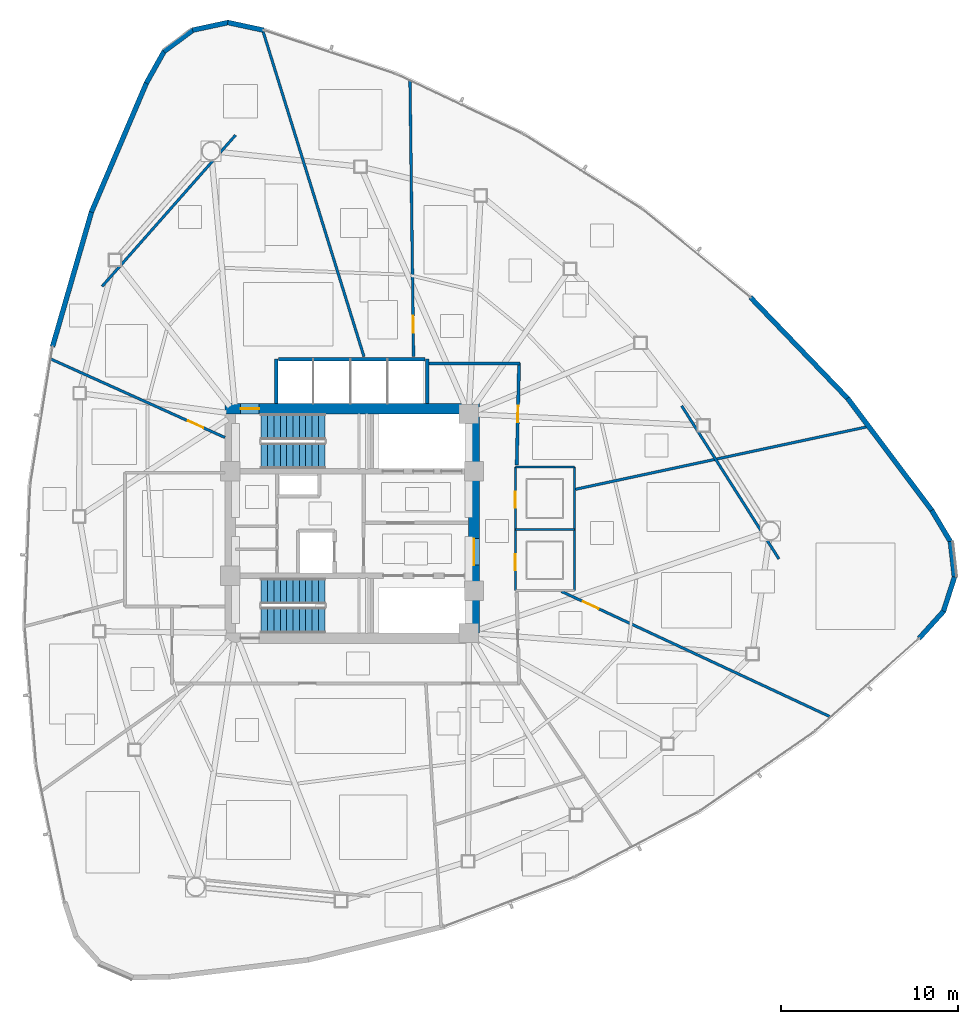
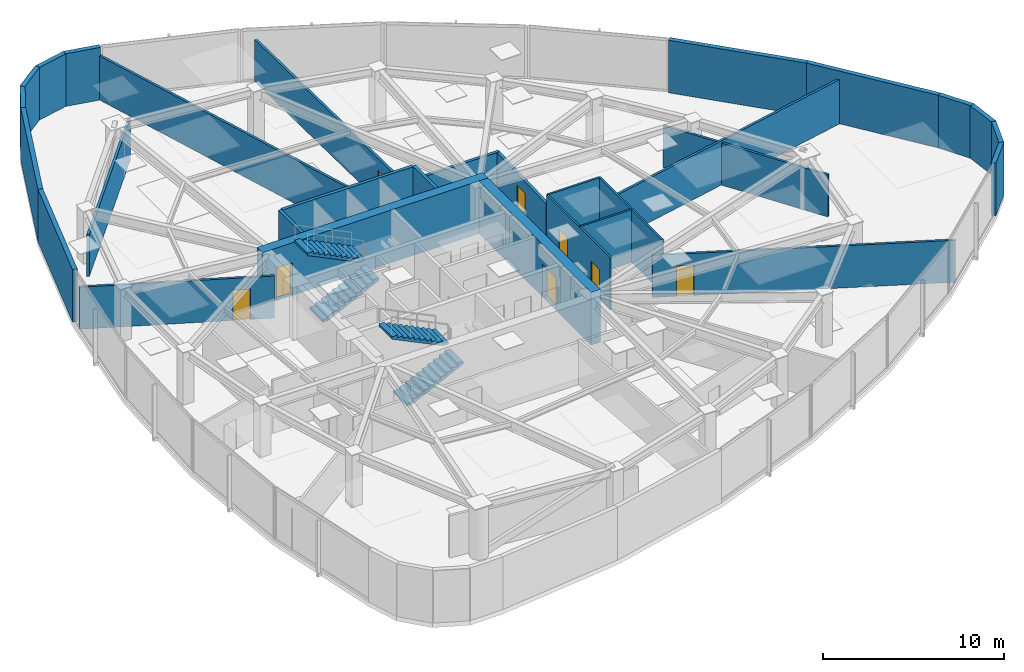
# One storey, part 12 of 17: 30 walls, 8 doors, 4 stair flights, 8 openings, 2 elements without a shape of their own.
"""IFC4 building model written with IfcOpenShell, lengths in metres."""

from ifc_helpers import new_model, si_unit, direction, frame, frame_2d, origin, place, context, subcontext, project, spatial, polyline, rectangle, outline, extrude, material, layer, layer_set, type_object, element, fill, aggregate, save


model = new_model("IFC4")

# Units and contexts
model_context = context("Model", 3, precision=1e-05, world=origin(), true_north=direction((0.0, 1.0)))
body_context = subcontext(model_context, "Body", "Model", "MODEL_VIEW")
ifc_project = project(units=[si_unit("LENGTHUNIT", "METRE"), si_unit("AREAUNIT", "SQUARE_METRE"), si_unit("VOLUMEUNIT", "CUBIC_METRE"), si_unit("PLANEANGLEUNIT", "RADIAN"), si_unit("MASSUNIT", "GRAM", prefix="KILO")], contexts=[model_context])

# Site, building, storey
site_placement = place(None, origin())
site = spatial("IfcSite", under=ifc_project, at=site_placement, CompositionType="ELEMENT")
building_placement = place(site_placement, origin())
building = spatial("IfcBuilding", under=site, at=building_placement, Name="Tavelor Broadcast Tower", CompositionType="ELEMENT")
storey_placement = place(building_placement, frame((0.0, 0.0, 134.85009765625)))
storey = spatial("IfcBuildingStorey", under=building, at=storey_placement, Name="L31", CompositionType="ELEMENT", Elevation=134.85009765625)

# Wall, opening, door
ifc_material_1 = material(Name="Concrete C60/75", Category="concrete")
ifc_layer_1 = layer(ifc_material_1, 0.60009765625)
ifc_layer_set_1 = layer_set([ifc_layer_1], Name="Concrete C60/75")
wall_type_1 = type_object("IfcWallType", Name="Core Shear Wall 600 mm", PredefinedType="SHEAR", material=ifc_layer_set_1)
wall_1_placement = place(storey_placement, frame((42.800048828125, 51.5, 0.0), z_axis=(0.0, 0.0, 1.0), x_axis=(1.0, 0.0, 0.0)))
wall_1 = element("IfcWall", 1, at=wall_1_placement, inside=storey, type_object=wall_type_1, Name="L31 Central Core Shear Wall N", PredefinedType="SHEAR", context=body_context, shape_type="SweptSolid", body=[
    extrude(rectangle(XDim=14.39990234375, YDim=0.60009765625, at=frame_2d((7.199951171875, 0.0))), origin(), (0.0, 0.0, 1.0), 3.5498046875),
])
opening_1_placement = place(wall_1_placement, frame((0.8798828125, 0.0, 0.0)))
opening_1 = element("IfcOpeningElement", 2, at=opening_1_placement, cuts=wall_1, Name="Opening DR11", PredefinedType="OPENING", context=body_context, shape_type="SweptSolid", body=[
    extrude(rectangle(XDim=1.050048828125, YDim=2.199951171875, at=frame_2d((0.52490234375, 1.10009765625))), frame((0.0, 0.31005859375, 0.0), z_axis=(0.0, -1.0, 0.0), x_axis=(1.0, 0.0, 0.0)), (0.0, 0.0, 1.0), 0.6201171875),
])
ifc_material_2 = material(Name="Steel S355", Category="steel")
door_type_1 = type_object("IfcDoorType", Name="Stair Core Fire Escape Door 1050x2200", OperationType="NOTDEFINED", PredefinedType="DOOR", material=ifc_material_2)
door_1_placement = place(opening_1_placement, origin())
door_1 = element("IfcDoor", 3, at=door_1_placement, inside=storey, type_object=door_type_1, Name="L31 Stair ST1 Protected Exit Door", OperationType="SINGLE_SWING_LEFT", OverallHeight=2.199951171875, OverallWidth=1.050048828125, PredefinedType="DOOR", context=body_context, shape_type="SweptSolid", body=[
    extrude(rectangle(XDim=1.050048828125, YDim=2.199951171875, at=frame_2d((0.52490234375, 1.10009765625))), frame((0.0, 0.02490234375, 0.0), z_axis=(0.0, -1.0, 0.0), x_axis=(1.0, 0.0, 0.0)), (0.0, 0.0, 1.0), 0.050048828125),
])
fill(opening_1, door_1)

wall_2_placement = place(storey_placement, frame((56.89990234375, 38.800048828125, 0.0), z_axis=(0.0, 0.0, 1.0), x_axis=(0.0, 1.0, 0.0)))
wall_2 = element("IfcWall", 4, at=wall_2_placement, inside=storey, type_object=wall_type_1, Name="L31 Central Core Shear Wall E", PredefinedType="SHEAR", context=body_context, shape_type="SweptSolid", body=[
    extrude(rectangle(XDim=12.39990234375, YDim=0.60009765625, at=frame_2d((6.199951171875, 0.0))), origin(), (0.0, 0.0, 1.0), 3.5498046875),
])
opening_2_placement = place(wall_2_placement, frame((3.85009765625, 0.0, 0.0)))
opening_2 = element("IfcOpeningElement", 5, at=opening_2_placement, cuts=wall_2, Name="Opening DR14", PredefinedType="OPENING", context=body_context, shape_type="SweptSolid", body=[
    extrude(rectangle(XDim=1.5, YDim=2.199951171875, at=frame_2d((0.75, 1.10009765625))), frame((0.0, 0.31005859375, 0.0), z_axis=(0.0, -1.0, 0.0), x_axis=(1.0, 0.0, 0.0)), (0.0, 0.0, 1.0), 0.6201171875),
])
door_type_2 = type_object("IfcDoorType", Name="Firefighting Lobby Double Fire Door 1500x2200", OperationType="NOTDEFINED", PredefinedType="DOOR", material=ifc_material_2)
door_2_placement = place(opening_2_placement, origin())
door_2 = element("IfcDoor", 6, at=door_2_placement, inside=storey, type_object=door_type_2, Name="L31 Central Core Lobby Fire Door", OperationType="SINGLE_SWING_LEFT", OverallHeight=2.199951171875, OverallWidth=1.5, PredefinedType="DOOR", context=body_context, shape_type="SweptSolid", body=[
    extrude(rectangle(XDim=1.5, YDim=2.199951171875, at=frame_2d((0.75, 1.10009765625))), frame((0.0, 0.02490234375, 0.0), z_axis=(0.0, -1.0, 0.0), x_axis=(1.0, 0.0, 0.0)), (0.0, 0.0, 1.0), 0.050048828125),
])
fill(opening_2, door_2)

# Wall
ifc_material_3 = material(Name="Calcium Silicate Fire Board 180 mm", Category="gypsum")
ifc_layer_2 = layer(ifc_material_3, 0.179931640625)
ifc_layer_set_2 = layer_set([ifc_layer_2], Name="Calcium Silicate Fire Board 180 mm")
wall_type_2 = type_object("IfcWallType", Name="Fire-Rated Corridor Partition Wall 180 mm", PredefinedType="PARTITIONING", material=ifc_layer_set_2)
wall_3_placement = place(storey_placement, frame((54.300048828125, 54.050048828125, 0.0), z_axis=(0.0, 0.0, 1.0), x_axis=(1.0, 0.0, 0.0)))
element("IfcWall", 7, at=wall_3_placement, inside=storey, type_object=wall_type_2, Name="L31 Corridor Compartment Wall 01", PredefinedType="PARTITIONING", context=body_context, shape_type="SweptSolid", body=[
    extrude(rectangle(XDim=5.199951171875, YDim=0.179931640625, at=frame_2d((2.60009765625, 0.0))), origin(), (0.0, 0.0, 1.0), 2.8349609375),
])

# Wall, opening, door
wall_4_placement = place(storey_placement, frame((59.451171875, 54.10009765625, 0.0), z_axis=(0.0, 0.0, 1.0), x_axis=(-0.023271046154, -0.999729192537, 0.0)))
wall_4 = element("IfcWall", 8, at=wall_4_placement, inside=storey, type_object=wall_type_2, Name="L31 Corridor Compartment Wall 02", PredefinedType="PARTITIONING", context=body_context, shape_type="SweptSolid", body=[
    extrude(rectangle(XDim=5.801513671875, YDim=0.179931640625, at=frame_2d((2.90087890625, 0.0))), origin(), (0.0, 0.0, 1.0), 2.8349609375),
])
opening_3_placement = place(wall_4_placement, frame((2.42578125, 0.0, 0.0)))
opening_3 = element("IfcOpeningElement", 9, at=opening_3_placement, cuts=wall_4, Name="Opening DR18", PredefinedType="OPENING", context=body_context, shape_type="SweptSolid", body=[
    extrude(rectangle(XDim=0.949951171875, YDim=2.050048828125, at=frame_2d((0.47509765625, 1.02490234375))), frame((0.0, 0.10009765625, 0.0), z_axis=(0.0, -1.0, 0.0), x_axis=(1.0, 0.0, 0.0)), (0.0, 0.0, 1.0), 0.199951171875),
])
ifc_material_4 = material(Name="Timber Solid Core Hardwood", Category="wood")
door_type_3 = type_object("IfcDoorType", Name="Corridor Rated Compartment Door 950x2050", OperationType="NOTDEFINED", PredefinedType="DOOR", material=ifc_material_4)
door_3_placement = place(opening_3_placement, origin())
door_3 = element("IfcDoor", 10, at=door_3_placement, inside=storey, type_object=door_type_3, Name="L31 Talent Script Den Door R7", OperationType="SINGLE_SWING_LEFT", OverallHeight=2.050048828125, OverallWidth=0.949951171875, PredefinedType="DOOR", context=body_context, shape_type="SweptSolid", body=[
    extrude(rectangle(XDim=0.949951171875, YDim=2.050048828125, at=frame_2d((0.47509765625, 1.02490234375))), frame((0.0, 0.02490234375, 0.0), z_axis=(0.0, -1.0, 0.0), x_axis=(1.0, 0.0, 0.0)), (0.0, 0.0, 1.0), 0.050048828125),
])
fill(opening_3, door_3)

# Walls
ifc_material_5 = material(Name="Precast Concrete C40/50", Category="concrete")
ifc_layer_3 = layer(ifc_material_5, 0.280029296875)
ifc_layer_set_3 = layer_set([ifc_layer_3], Name="Precast Concrete C40/50")
wall_type_3 = type_object("IfcWallType", Name="Insulated Precast Terracotta Facade Wall 280 mm", PredefinedType="STANDARD", material=ifc_layer_set_3)
wall_5_placement = place(storey_placement, frame((44.980224609375, 72.9296875, 0.0), z_axis=(0.0, 0.0, 1.0), x_axis=(-0.977629545497, 0.210334190686, 0.0)))
element("IfcWall", 11, at=wall_5_placement, inside=storey, type_object=wall_type_3, Name="L31 Rounded Corner Structural Cladding Pier 01", PredefinedType="STANDARD", context=body_context, shape_type="SweptSolid", body=[
    extrude(rectangle(XDim=2.07080078125, YDim=0.280029296875, at=frame_2d((1.035400390625, 0.0))), origin(), (0.0, 0.0, 1.0), 3.5498046875),
])
for number, where, z_axis, x_axis, name in (
    (12, (42.985107421875, 73.365234375, 0.0), (0.0, 0.0, 1.0), (-0.977602427507, -0.210460195127, 0.0), "L31 Rounded Corner Structural Cladding Pier 02"),
    (13, (40.998779296875, 72.944091796875, 0.0), (0.0, 0.0, 1.0), (-0.80436091112, -0.594140997291, 0.0), "L31 Rounded Corner Structural Cladding Pier 03"),
):
    element("IfcWall", number, at=place(storey_placement, frame(where, z_axis=z_axis, x_axis=x_axis)), inside=storey, type_object=wall_type_3, Name=name, PredefinedType="STANDARD", context=body_context, shape_type="SweptSolid", body=[
        extrude(rectangle(XDim=2.05908203125, YDim=0.280029296875, at=frame_2d((1.029541015625, 0.0))), origin(), (0.0, 0.0, 1.0), 3.5498046875),
    ])
wall_6_placement = place(storey_placement, frame((39.36181640625, 71.74267578125, 0.0), z_axis=(0.0, 0.0, 1.0), x_axis=(-0.488567657499, -0.872526013392, 0.0)))
element("IfcWall", 14, at=wall_6_placement, inside=storey, type_object=wall_type_3, Name="L31 Rounded Corner Structural Cladding Pier 04", PredefinedType="STANDARD", context=body_context, shape_type="SweptSolid", body=[
    extrude(rectangle(XDim=2.081787109375, YDim=0.280029296875, at=frame_2d((1.041015625, 0.0))), origin(), (0.0, 0.0, 1.0), 3.5498046875),
])
wall_7_placement = place(storey_placement, frame((38.35791015625, 69.953125, 0.0), z_axis=(0.0, 0.0, 1.0), x_axis=(-0.391961972434, -0.919981419468, 0.0)))
element("IfcWall", 15, at=wall_7_placement, inside=storey, type_object=wall_type_3, Name="L31 Rounded Corner Structural Cladding Pier 05", PredefinedType="STANDARD", context=body_context, shape_type="SweptSolid", body=[
    extrude(rectangle(XDim=7.967041015625, YDim=0.280029296875, at=frame_2d((3.9833984375, 0.0))), origin(), (0.0, 0.0, 1.0), 3.5498046875),
])
wall_8_placement = place(storey_placement, frame((35.2451171875, 62.65185546875, 0.0), z_axis=(0.0, 0.0, 1.0), x_axis=(-0.277735404801, -0.960657610661, 0.0)))
element("IfcWall", 16, at=wall_8_placement, inside=storey, type_object=wall_type_3, Name="L31 Rounded Corner Structural Cladding Pier 06", PredefinedType="STANDARD", context=body_context, shape_type="SweptSolid", body=[
    extrude(rectangle(XDim=7.955322265625, YDim=0.280029296875, at=frame_2d((3.9775390625, 0.0))), origin(), (0.0, 0.0, 1.0), 3.5498046875),
])
wall_9_placement = place(storey_placement, frame((82.09765625, 38.5, 0.0), z_axis=(0.0, 0.0, 1.0), x_axis=(0.671039878788, 0.741421257502, 0.0)))
element("IfcWall", 17, at=wall_9_placement, inside=storey, type_object=wall_type_3, Name="L31 Rounded Corner Structural Cladding Pier 21", PredefinedType="STANDARD", context=body_context, shape_type="SweptSolid", body=[
    extrude(rectangle(XDim=2.07080078125, YDim=0.280029296875, at=frame_2d((1.035400390625, 0.0))), origin(), (0.0, 0.0, 1.0), 3.5498046875),
])
wall_10_placement = place(storey_placement, frame((83.47265625, 40.010009765625, 0.0), z_axis=(0.0, 0.0, 1.0), x_axis=(0.306465823519, 0.951881662296, 0.0)))
element("IfcWall", 18, at=wall_10_placement, inside=storey, type_object=wall_type_3, Name="L31 Rounded Corner Structural Cladding Pier 22", PredefinedType="STANDARD", context=body_context, shape_type="SweptSolid", body=[
    extrude(rectangle(XDim=2.059326171875, YDim=0.280029296875, at=frame_2d((1.02978515625, 0.0))), origin(), (0.0, 0.0, 1.0), 3.5498046875),
])
wall_11_placement = place(storey_placement, frame((84.100830078125, 41.94091796875, 0.0), z_axis=(0.0, 0.0, 1.0), x_axis=(-0.112396249316, 0.993663465737, 0.0)))
element("IfcWall", 19, at=wall_11_placement, inside=storey, type_object=wall_type_3, Name="L31 Rounded Corner Structural Cladding Pier 23", PredefinedType="STANDARD", context=body_context, shape_type="SweptSolid", body=[
    extrude(rectangle(XDim=2.05908203125, YDim=0.280029296875, at=frame_2d((1.029541015625, 0.0))), origin(), (0.0, 0.0, 1.0), 3.5498046875),
])
wall_12_placement = place(storey_placement, frame((83.87890625, 43.959228515625, 0.0), z_axis=(0.0, 0.0, 1.0), x_axis=(-0.511318909395, 0.859391047717, 0.0)))
element("IfcWall", 20, at=wall_12_placement, inside=storey, type_object=wall_type_3, Name="L31 Rounded Corner Structural Cladding Pier 24", PredefinedType="STANDARD", context=body_context, shape_type="SweptSolid", body=[
    extrude(rectangle(XDim=2.081787109375, YDim=0.280029296875, at=frame_2d((1.041015625, 0.0))), origin(), (0.0, 0.0, 1.0), 3.5498046875),
])
wall_13_placement = place(storey_placement, frame((82.831298828125, 45.723388671875, 0.0), z_axis=(0.0, 0.0, 1.0), x_axis=(-0.600749869201, 0.799437048588, 0.0)))
element("IfcWall", 21, at=wall_13_placement, inside=storey, type_object=wall_type_3, Name="L31 Rounded Corner Structural Cladding Pier 25", PredefinedType="STANDARD", context=body_context, shape_type="SweptSolid", body=[
    extrude(rectangle(XDim=7.96728515625, YDim=0.280029296875, at=frame_2d((3.983642578125, 0.0))), origin(), (0.0, 0.0, 1.0), 3.5498046875),
])
wall_14_placement = place(storey_placement, frame((78.064208984375, 52.06982421875, 0.0), z_axis=(0.0, 0.0, 1.0), x_axis=(-0.693067622411, 0.720872575956, 0.0)))
element("IfcWall", 22, at=wall_14_placement, inside=storey, type_object=wall_type_3, Name="L31 Rounded Corner Structural Cladding Pier 26", PredefinedType="STANDARD", context=body_context, shape_type="SweptSolid", body=[
    extrude(rectangle(XDim=7.955078125, YDim=0.280029296875, at=frame_2d((3.9775390625, 0.0))), origin(), (0.0, 0.0, 1.0), 3.5498046875),
])
ifc_material_6 = material(Name="Gypsum Acoustic Plasterboard 150 mm", Category="gypsum")
ifc_layer_4 = layer(ifc_material_6, 0.14990234375)
ifc_layer_set_4 = layer_set([ifc_layer_4], Name="Gypsum Acoustic Plasterboard 150 mm")
wall_type_4 = type_object("IfcWallType", Name="Interior Acoustic Partition Wall 150 mm", PredefinedType="PARTITIONING", material=ifc_layer_set_4)
wall_15_placement = place(storey_placement, frame((43.399658203125, 66.988525390625, 0.0), z_axis=(0.0, 0.0, 1.0), x_axis=(-0.661622343701, -0.749837231881, 0.0)))
element("IfcWall", 23, at=wall_15_placement, inside=storey, type_object=wall_type_4, Name="L31 Corner Tube Brace Furring Wall 1", PredefinedType="PARTITIONING", context=body_context, shape_type="SweptSolid", body=[
    extrude(rectangle(XDim=11.42724609375, YDim=0.14990234375, at=frame_2d((5.713623046875, 0.0))), origin(), (0.0, 0.0, 1.0), 2.8349609375),
])
wall_16_placement = place(storey_placement, frame((74.16259765625, 42.9931640625, 0.0), z_axis=(0.0, 0.0, 1.0), x_axis=(-0.53628142437, 0.844039237166, 0.0)))
element("IfcWall", 24, at=wall_16_placement, inside=storey, type_object=wall_type_4, Name="L31 Corner Tube Brace Furring Wall 3", PredefinedType="PARTITIONING", context=body_context, shape_type="SweptSolid", body=[
    extrude(rectangle(XDim=10.266845703125, YDim=0.14990234375, at=frame_2d((5.13330078125, 0.0))), origin(), (0.0, 0.0, 1.0), 2.8349609375),
])

# Wall, opening, door
wall_17_placement = place(storey_placement, frame((61.8564453125, 41.14990234375, 0.0), z_axis=(0.0, 0.0, 1.0), x_axis=(0.906307679399, -0.422618492571, 0.0)))
wall_17 = element("IfcWall", 25, at=wall_17_placement, inside=storey, type_object=wall_type_4, Name="L31 Radial Compartment Wall 01", PredefinedType="PARTITIONING", context=body_context, shape_type="SweptSolid", body=[
    extrude(rectangle(XDim=16.822265625, YDim=0.14990234375, at=frame_2d((8.4111328125, 0.0))), origin(), (0.0, 0.0, 1.0), 2.8349609375),
])
opening_4_placement = place(wall_17_placement, frame((1.35009765625, 0.0, 0.0)))
opening_4 = element("IfcOpeningElement", 26, at=opening_4_placement, cuts=wall_17, Name="Opening DR18", PredefinedType="OPENING", context=body_context, shape_type="SweptSolid", body=[
    extrude(rectangle(XDim=0.949951171875, YDim=2.050048828125, at=frame_2d((0.47509765625, 1.02490234375))), frame((0.0, 0.0849609375, 0.0), z_axis=(0.0, -1.0, 0.0), x_axis=(1.0, 0.0, 0.0)), (0.0, 0.0, 1.0), 0.169921875),
])
door_4_placement = place(opening_4_placement, origin())
door_4 = element("IfcDoor", 27, at=door_4_placement, inside=storey, type_object=door_type_3, Name="L31 Suite Connecting Door 8", OperationType="SINGLE_SWING_RIGHT", OverallHeight=2.050048828125, OverallWidth=0.949951171875, PredefinedType="DOOR", context=body_context, shape_type="SweptSolid", body=[
    extrude(rectangle(XDim=0.949951171875, YDim=2.050048828125, at=frame_2d((0.47509765625, 1.02490234375))), frame((0.0, 0.02490234375, 0.0), z_axis=(0.0, -1.0, 0.0), x_axis=(1.0, 0.0, 0.0)), (0.0, 0.0, 1.0), 0.050048828125),
])
fill(opening_4, door_4)

# Wall
wall_18_placement = place(storey_placement, frame((62.64990234375, 46.9384765625, 0.0), z_axis=(0.0, 0.0, 1.0), x_axis=(0.977821763105, 0.20943877291, 0.0)))
element("IfcWall", 28, at=wall_18_placement, inside=storey, type_object=wall_type_4, Name="L31 Radial Compartment Wall 02", PredefinedType="PARTITIONING", context=body_context, shape_type="SweptSolid", body=[
    extrude(rectangle(XDim=16.984130859375, YDim=0.14990234375, at=frame_2d((8.4921875, 0.0))), origin(), (0.0, 0.0, 1.0), 2.974853515625),
])

# Wall, opening, door
wall_19_placement = place(storey_placement, frame((53.477294921875, 54.449951171875, 0.0), z_axis=(0.0, 0.0, 1.0), x_axis=(-0.012989972542, 0.999915626747, 0.0)))
wall_19 = element("IfcWall", 29, at=wall_19_placement, inside=storey, type_object=wall_type_4, Name="L31 Radial Compartment Wall 03", PredefinedType="PARTITIONING", context=body_context, shape_type="SweptSolid", body=[
    extrude(rectangle(XDim=15.636962890625, YDim=0.14990234375, at=frame_2d((7.818359375, 0.0))), origin(), (0.0, 0.0, 1.0), 2.8349609375),
])
opening_5_placement = place(wall_19_placement, frame((1.35009765625, 0.0, 0.0)))
opening_5 = element("IfcOpeningElement", 30, at=opening_5_placement, cuts=wall_19, Name="Opening DR18", PredefinedType="OPENING", context=body_context, shape_type="SweptSolid", body=[
    extrude(rectangle(XDim=0.949951171875, YDim=2.050048828125, at=frame_2d((0.47509765625, 1.02490234375))), frame((0.0, 0.0849609375, 0.0), z_axis=(0.0, -1.0, 0.0), x_axis=(1.0, 0.0, 0.0)), (0.0, 0.0, 1.0), 0.169921875),
])
door_5_placement = place(opening_5_placement, origin())
door_5 = element("IfcDoor", 31, at=door_5_placement, inside=storey, type_object=door_type_3, Name="L31 Suite Connecting Door 6", OperationType="SINGLE_SWING_LEFT", OverallHeight=2.050048828125, OverallWidth=0.949951171875, PredefinedType="DOOR", context=body_context, shape_type="SweptSolid", body=[
    extrude(rectangle(XDim=0.949951171875, YDim=2.050048828125, at=frame_2d((0.47509765625, 1.02490234375))), frame((0.0, 0.02490234375, 0.0), z_axis=(0.0, -1.0, 0.0), x_axis=(1.0, 0.0, 0.0)), (0.0, 0.0, 1.0), 0.050048828125),
])
fill(opening_5, door_5)

# Wall
wall_20_placement = place(storey_placement, frame((50.668212890625, 54.449951171875, 0.0), z_axis=(0.0, 0.0, 1.0), x_axis=(-0.296308036434, 0.955092428796, 0.0)))
element("IfcWall", 32, at=wall_20_placement, inside=storey, type_object=wall_type_4, Name="L31 Radial Compartment Wall 04", PredefinedType="PARTITIONING", context=body_context, shape_type="SweptSolid", body=[
    extrude(rectangle(XDim=19.370849609375, YDim=0.14990234375, at=frame_2d((9.685546875, 0.0))), origin(), (0.0, 0.0, 1.0), 2.974853515625),
])

# Wall, opening, door
wall_21_placement = place(storey_placement, frame((42.800048828125, 49.867431640625, 0.0), z_axis=(0.0, 0.0, 1.0), x_axis=(-0.911694275352, 0.410869259363, 0.0)))
wall_21 = element("IfcWall", 33, at=wall_21_placement, inside=storey, type_object=wall_type_4, Name="L31 Radial Compartment Wall 05", PredefinedType="PARTITIONING", context=body_context, shape_type="SweptSolid", body=[
    extrude(rectangle(XDim=10.842529296875, YDim=0.14990234375, at=frame_2d((5.42138671875, 0.0))), origin(), (0.0, 0.0, 1.0), 2.8349609375),
])
opening_6_placement = place(wall_21_placement, frame((1.35009765625, 0.0, 0.0)))
opening_6 = element("IfcOpeningElement", 34, at=opening_6_placement, cuts=wall_21, Name="Opening DR18", PredefinedType="OPENING", context=body_context, shape_type="SweptSolid", body=[
    extrude(rectangle(XDim=0.949951171875, YDim=2.050048828125, at=frame_2d((0.47509765625, 1.02490234375))), frame((0.0, 0.0849609375, 0.0), z_axis=(0.0, -1.0, 0.0), x_axis=(1.0, 0.0, 0.0)), (0.0, 0.0, 1.0), 0.169921875),
])
door_6_placement = place(opening_6_placement, origin())
door_6 = element("IfcDoor", 35, at=door_6_placement, inside=storey, type_object=door_type_3, Name="L31 Suite Connecting Door 5", OperationType="SINGLE_SWING_RIGHT", OverallHeight=2.050048828125, OverallWidth=0.949951171875, PredefinedType="DOOR", context=body_context, shape_type="SweptSolid", body=[
    extrude(rectangle(XDim=0.949951171875, YDim=2.050048828125, at=frame_2d((0.47509765625, 1.02490234375))), frame((0.0, 0.02490234375, 0.0), z_axis=(0.0, -1.0, 0.0), x_axis=(1.0, 0.0, 0.0)), (0.0, 0.0, 1.0), 0.050048828125),
])
fill(opening_6, door_6)

# Walls
ifc_material_7 = material(Name="Concrete Blockwork 200 mm", Category="masonry")
ifc_layer_5 = layer(ifc_material_7, 0.199951171875)
ifc_layer_set_5 = layer_set([ifc_layer_5], Name="Concrete Blockwork 200 mm")
wall_type_5 = type_object("IfcWallType", Name="Lift Hoistway Rated Front Wall 200 mm", PredefinedType="PARTITIONING", material=ifc_layer_set_5)
wall_22_placement = place(storey_placement, frame((45.820068359375, 54.300048828125, 0.0), z_axis=(0.0, 0.0, 1.0), x_axis=(1.0, 0.0, 0.0)))
element("IfcWall", 36, at=wall_22_placement, inside=storey, type_object=wall_type_5, Name="L31 High-Rise Lift Hoistway Front Wall", PredefinedType="PARTITIONING", context=body_context, shape_type="SweptSolid", body=[
    extrude(rectangle(XDim=8.309814453125, YDim=0.199951171875, at=frame_2d((4.15478515625, 0.0))), origin(), (0.0, 0.0, 1.0), 3.5498046875),
])
ifc_layer_6 = layer(ifc_material_7, 0.199951171875)
ifc_layer_set_6 = layer_set([ifc_layer_6], Name="Concrete Blockwork 200 mm")
wall_type_6 = type_object("IfcWallType", Name="Lift and Riser Shaft Enclosure Wall 200 mm", PredefinedType="PARTITIONING", material=ifc_layer_set_6)
for number, where, z_axis, x_axis, name in (
    (37, (45.699951171875, 51.800048828125, 0.0), (0.0, 0.0, 1.0), (0.0, 1.0, 0.0), "L31 High-Rise Lift Shaft West Wall"),
    (38, (54.25, 51.800048828125, 0.0), (0.0, 0.0, 1.0), (0.0, 1.0, 0.0), "L31 High-Rise Lift Shaft East Wall"),
):
    element("IfcWall", number, at=place(storey_placement, frame(where, z_axis=z_axis, x_axis=x_axis)), inside=storey, type_object=wall_type_6, Name=name, PredefinedType="PARTITIONING", context=body_context, shape_type="SweptSolid", body=[
        extrude(rectangle(XDim=2.5, YDim=0.199951171875, at=frame_2d((1.25, 0.0))), origin(), (0.0, 0.0, 1.0), 3.5498046875),
    ])

# Wall, openings, doors
ifc_material_8 = material(Name="Moisture-Resistant Plasterboard 120 mm", Category="gypsum")
ifc_layer_7 = layer(ifc_material_8, 0.1201171875)
ifc_layer_set_7 = layer_set([ifc_layer_7], Name="Moisture-Resistant Plasterboard 120 mm")
wall_type_7 = type_object("IfcWallType", Name="Moisture-Resistant Wet-Room Partition 120 mm", PredefinedType="PARTITIONING", material=ifc_layer_set_7)
wall_23_placement = place(storey_placement, frame((59.239990234375, 41.199951171875, 0.0), z_axis=(0.0, 0.0, 1.0), x_axis=(0.0, 1.0, 0.0)))
wall_23 = element("IfcWall", 39, at=wall_23_placement, inside=storey, type_object=wall_type_7, Name="L31 Floor Washrooms West Wall", PredefinedType="PARTITIONING", context=body_context, shape_type="SweptSolid", body=[
    extrude(rectangle(XDim=7.0, YDim=0.1201171875, at=frame_2d((3.5, 0.0))), origin(), (0.0, 0.0, 1.0), 3.5498046875),
])
opening_7_placement = place(wall_23_placement, frame((1.14990234375, 0.0, 0.0)))
opening_7 = element("IfcOpeningElement", 40, at=opening_7_placement, cuts=wall_23, Name="Opening DR32", PredefinedType="OPENING", context=body_context, shape_type="SweptSolid", body=[
    extrude(rectangle(XDim=0.89990234375, YDim=2.050048828125, at=frame_2d((0.449951171875, 1.02490234375))), frame((0.0, 0.070068359375, 0.0), z_axis=(0.0, -1.0, 0.0), x_axis=(1.0, 0.0, 0.0)), (0.0, 0.0, 1.0), 0.14013671875),
])
opening_8_placement = place(wall_23_placement, frame((4.699951171875, 0.0, 0.0)))
opening_8 = element("IfcOpeningElement", 41, at=opening_8_placement, cuts=wall_23, Name="Opening DR32", PredefinedType="OPENING", context=body_context, shape_type="SweptSolid", body=[
    extrude(rectangle(XDim=0.89990234375, YDim=2.050048828125, at=frame_2d((0.449951171875, 1.02490234375))), frame((0.0, 0.070068359375, 0.0), z_axis=(0.0, -1.0, 0.0), x_axis=(1.0, 0.0, 0.0)), (0.0, 0.0, 1.0), 0.14013671875),
])
door_type_4 = type_object("IfcDoorType", Name="Accessible Washroom Door 900x2050", OperationType="NOTDEFINED", PredefinedType="DOOR", material=ifc_material_4)
door_7_placement = place(opening_7_placement, origin())
door_7 = element("IfcDoor", 42, at=door_7_placement, inside=storey, type_object=door_type_4, Name="L31 Accessible WC Door", OperationType="SINGLE_SWING_LEFT", OverallHeight=2.050048828125, OverallWidth=0.89990234375, PredefinedType="DOOR", context=body_context, shape_type="SweptSolid", body=[
    extrude(rectangle(XDim=0.89990234375, YDim=2.050048828125, at=frame_2d((0.449951171875, 1.02490234375))), frame((0.0, 0.02490234375, 0.0), z_axis=(0.0, -1.0, 0.0), x_axis=(1.0, 0.0, 0.0)), (0.0, 0.0, 1.0), 0.050048828125),
])
fill(opening_7, door_7)
door_8_placement = place(opening_8_placement, origin())
door_8 = element("IfcDoor", 43, at=door_8_placement, inside=storey, type_object=door_type_4, Name="L31 Staff Washroom WC Door", OperationType="SINGLE_SWING_RIGHT", OverallHeight=2.050048828125, OverallWidth=0.89990234375, PredefinedType="DOOR", context=body_context, shape_type="SweptSolid", body=[
    extrude(rectangle(XDim=0.89990234375, YDim=2.050048828125, at=frame_2d((0.449951171875, 1.02490234375))), frame((0.0, 0.02490234375, 0.0), z_axis=(0.0, -1.0, 0.0), x_axis=(1.0, 0.0, 0.0)), (0.0, 0.0, 1.0), 0.050048828125),
])
fill(opening_8, door_8)

# Walls
for number, where, z_axis, x_axis, name in (
    (44, (59.239990234375, 44.64990234375, 0.0), (0.0, 0.0, 1.0), (1.0, 0.0, 0.0), "L31 Floor Washrooms Divider Wall"),
    (45, (59.239990234375, 48.199951171875, 0.0), (0.0, 0.0, 1.0), (1.0, 0.0, 0.0), "L31 Floor Washrooms North Wall"),
):
    element("IfcWall", number, at=place(storey_placement, frame(where, z_axis=z_axis, x_axis=x_axis)), inside=storey, type_object=wall_type_7, Name=name, PredefinedType="PARTITIONING", context=body_context, shape_type="SweptSolid", body=[
        extrude(rectangle(XDim=3.340087890625, YDim=0.1201171875, at=frame_2d((1.669921875, 0.0))), origin(), (0.0, 0.0, 1.0), 3.5498046875),
    ])
wall_24_placement = place(storey_placement, frame((62.580078125, 41.199951171875, 0.0), z_axis=(0.0, 0.0, 1.0), x_axis=(0.0, 1.0, 0.0)))
element("IfcWall", 46, at=wall_24_placement, inside=storey, type_object=wall_type_7, Name="L31 Floor Washrooms East Wall", PredefinedType="PARTITIONING", context=body_context, shape_type="SweptSolid", body=[
    extrude(rectangle(XDim=7.0, YDim=0.1201171875, at=frame_2d((3.5, 0.0))), origin(), (0.0, 0.0, 1.0), 3.5498046875),
])

# Stair, stair flights
ifc_material_9 = material(Name="Concrete C40/50", Category="concrete")
stair_type = type_object("IfcStairType", Name="Reinforced Concrete Protected Dogleg Stair 1450 mm", PredefinedType="HALF_TURN_STAIR", material=ifc_material_9)
stair_1_placement = place(storey_placement, origin())
stair_1 = element("IfcStair", 47, at=stair_1_placement, inside=storey, type_object=stair_type, Name="L31 Protected Core Exit Stair ST1", PredefinedType="HALF_TURN_STAIR")
stair_flight_type = type_object("IfcStairFlightType", Name="Reinforced Concrete Stair Flight 1450 mm", PredefinedType="STRAIGHT", material=ifc_material_9)
stair_flight_1_placement = place(storey_placement, frame((44.85009765625, 48.824951171875, 0.0), z_axis=(0.0, 0.0, 1.0), x_axis=(1.0, 0.0, 0.0)))
stair_flight_1 = element("IfcStairFlight", 48, at=stair_flight_1_placement, type_object=stair_flight_type, Name="ST1 flight 1", NumberOfRisers=11, NumberOfTreads=10, PredefinedType="STRAIGHT", RiserHeight=0.175, TreadLength=0.36, context=body_context, shape_type="SweptSolid", body=[
    extrude(outline(polyline([(0.0, 0.0), (0.0, 0.175048828125), (0.360107421875, 0.175048828125), (0.360107421875, 0.35009765625), (0.719970703125, 0.35009765625), (0.719970703125, 0.52490234375), (1.080078125, 0.52490234375), (1.080078125, 0.699951171875), (1.43994140625, 0.699951171875), (1.43994140625, 0.875), (1.800048828125, 0.875), (1.800048828125, 1.050048828125), (2.159912109375, 1.050048828125), (2.159912109375, 1.22509765625), (2.52001953125, 1.22509765625), (2.52001953125, 1.39990234375), (2.8798828125, 1.39990234375), (2.8798828125, 1.574951171875), (3.239990234375, 1.574951171875), (3.239990234375, 1.75), (3.60009765625, 1.75), (3.60009765625, 1.925048828125), (3.60009765625, 1.583251953125), (0.3427734375, 0.0), (0.0, 0.0)])), frame((0.0, 0.72509765625, 0.0), z_axis=(0.0, -1.0, 0.0), x_axis=(1.0, 0.0, 0.0)), (0.0, 0.0, 1.0), 1.449951171875),
])
stair_flight_2_placement = place(storey_placement, frame((48.449951171875, 50.47509765625, 1.9248046875), z_axis=(0.0, 0.0, 1.0), x_axis=(-1.0, 0.0, 0.0)))
stair_flight_2 = element("IfcStairFlight", 49, at=stair_flight_2_placement, type_object=stair_flight_type, Name="ST1 flight 2", NumberOfRisers=11, NumberOfTreads=10, PredefinedType="STRAIGHT", RiserHeight=0.175, TreadLength=0.36, context=body_context, shape_type="SweptSolid", body=[
    extrude(outline(polyline([(0.0, 0.0), (0.0, 0.175048828125), (0.360107421875, 0.175048828125), (0.360107421875, 0.35009765625), (0.719970703125, 0.35009765625), (0.719970703125, 0.52490234375), (1.080078125, 0.52490234375), (1.080078125, 0.699951171875), (1.43994140625, 0.699951171875), (1.43994140625, 0.875), (1.800048828125, 0.875), (1.800048828125, 1.050048828125), (2.159912109375, 1.050048828125), (2.159912109375, 1.22509765625), (2.52001953125, 1.22509765625), (2.52001953125, 1.39990234375), (2.8798828125, 1.39990234375), (2.8798828125, 1.574951171875), (3.239990234375, 1.574951171875), (3.239990234375, 1.75), (3.60009765625, 1.75), (3.60009765625, 1.925048828125), (3.60009765625, 1.583251953125), (0.3427734375, 0.0), (0.0, 0.0)])), frame((0.0, 0.72509765625, 0.0), z_axis=(0.0, -1.0, 0.0), x_axis=(1.0, 0.0, 0.0)), (0.0, 0.0, 1.0), 1.449951171875),
])
aggregate(stair_1, [stair_flight_1, stair_flight_2])

stair_2_placement = place(storey_placement, origin())
stair_2 = element("IfcStair", 50, at=stair_2_placement, inside=storey, type_object=stair_type, Name="L31 Protected Core Exit Stair ST2", PredefinedType="HALF_TURN_STAIR")
stair_flight_3_placement = place(storey_placement, frame((44.85009765625, 39.52490234375, 0.0), z_axis=(0.0, 0.0, 1.0), x_axis=(1.0, 0.0, 0.0)))
stair_flight_3 = element("IfcStairFlight", 51, at=stair_flight_3_placement, type_object=stair_flight_type, Name="ST2 flight 1", NumberOfRisers=11, NumberOfTreads=10, PredefinedType="STRAIGHT", RiserHeight=0.175, TreadLength=0.36, context=body_context, shape_type="SweptSolid", body=[
    extrude(outline(polyline([(0.0, 0.0), (0.0, 0.175048828125), (0.360107421875, 0.175048828125), (0.360107421875, 0.35009765625), (0.719970703125, 0.35009765625), (0.719970703125, 0.52490234375), (1.080078125, 0.52490234375), (1.080078125, 0.699951171875), (1.43994140625, 0.699951171875), (1.43994140625, 0.875), (1.800048828125, 0.875), (1.800048828125, 1.050048828125), (2.159912109375, 1.050048828125), (2.159912109375, 1.22509765625), (2.52001953125, 1.22509765625), (2.52001953125, 1.39990234375), (2.8798828125, 1.39990234375), (2.8798828125, 1.574951171875), (3.239990234375, 1.574951171875), (3.239990234375, 1.75), (3.60009765625, 1.75), (3.60009765625, 1.925048828125), (3.60009765625, 1.583251953125), (0.3427734375, 0.0), (0.0, 0.0)])), frame((0.0, 0.72509765625, 0.0), z_axis=(0.0, -1.0, 0.0), x_axis=(1.0, 0.0, 0.0)), (0.0, 0.0, 1.0), 1.449951171875),
])
stair_flight_4_placement = place(storey_placement, frame((48.449951171875, 41.175048828125, 1.9248046875), z_axis=(0.0, 0.0, 1.0), x_axis=(-1.0, 0.0, 0.0)))
stair_flight_4 = element("IfcStairFlight", 52, at=stair_flight_4_placement, type_object=stair_flight_type, Name="ST2 flight 2", NumberOfRisers=11, NumberOfTreads=10, PredefinedType="STRAIGHT", RiserHeight=0.175, TreadLength=0.36, context=body_context, shape_type="SweptSolid", body=[
    extrude(outline(polyline([(0.0, 0.0), (0.0, 0.175048828125), (0.360107421875, 0.175048828125), (0.360107421875, 0.35009765625), (0.719970703125, 0.35009765625), (0.719970703125, 0.52490234375), (1.080078125, 0.52490234375), (1.080078125, 0.699951171875), (1.43994140625, 0.699951171875), (1.43994140625, 0.875), (1.800048828125, 0.875), (1.800048828125, 1.050048828125), (2.159912109375, 1.050048828125), (2.159912109375, 1.22509765625), (2.52001953125, 1.22509765625), (2.52001953125, 1.39990234375), (2.8798828125, 1.39990234375), (2.8798828125, 1.574951171875), (3.239990234375, 1.574951171875), (3.239990234375, 1.75), (3.60009765625, 1.75), (3.60009765625, 1.925048828125), (3.60009765625, 1.583251953125), (0.3427734375, 0.0), (0.0, 0.0)])), frame((0.0, 0.72509765625, 0.0), z_axis=(0.0, -1.0, 0.0), x_axis=(1.0, 0.0, 0.0)), (0.0, 0.0, 1.0), 1.449951171875),
])
aggregate(stair_2, [stair_flight_3, stair_flight_4])

save(model, "model.ifc")
